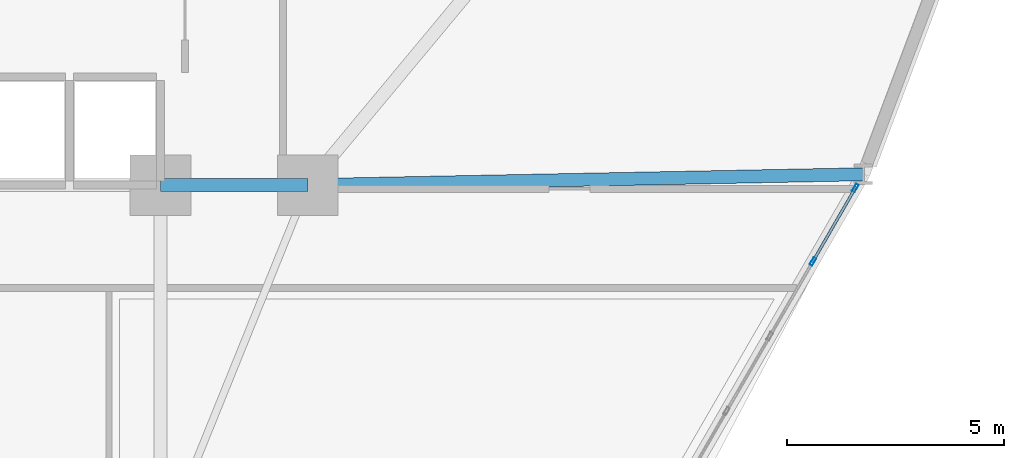
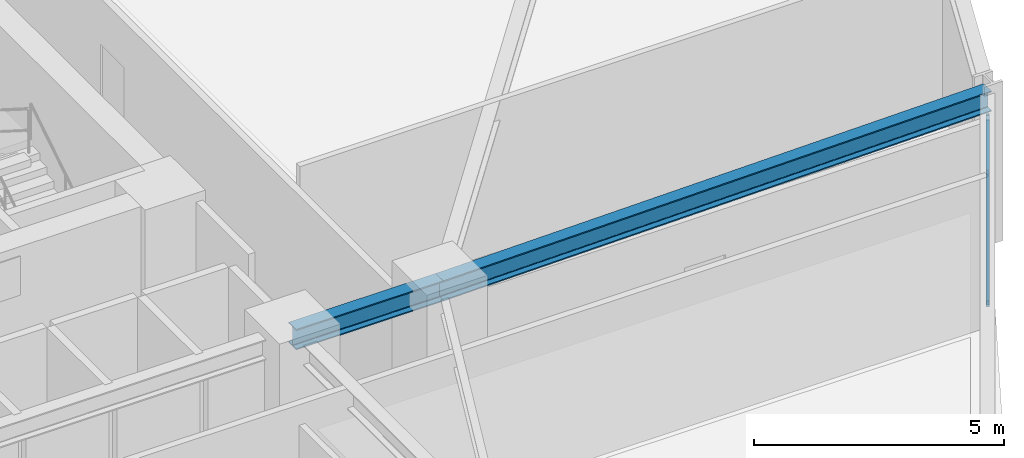
# One storey, part 8 of 20: 5 members, 2 beams, 1 element without a shape of its own.
"""IFC4 building model written with IfcOpenShell, lengths in metres."""

from ifc_helpers import new_model, si_unit, derived_unit, direction, frame, origin, origin_2d, place, context, subcontext, project, spatial, hollow_rectangle, i_section, extrude, source, transform, mapped, material, layer, layer_set, material_profile, profile_set, type_object, element, aggregate, save


model = new_model("IFC4")

# Units and contexts
model_context = context("Model", 3, precision=1e-05, world=origin(), true_north=direction((0.0, 1.0)))
body_context = subcontext(model_context, "Body", "Model", "MODEL_VIEW")
ifc_project = project(units=[si_unit("LENGTHUNIT", "METRE"), si_unit("AREAUNIT", "SQUARE_METRE"), si_unit("VOLUMEUNIT", "CUBIC_METRE"), si_unit("PLANEANGLEUNIT", "RADIAN"), si_unit("MASSUNIT", "GRAM", prefix="KILO"), derived_unit("THERMALTRANSMITTANCEUNIT", [(si_unit("POWERUNIT", "WATT"), 1), (si_unit("LENGTHUNIT", "METRE"), -2), (si_unit("THERMODYNAMICTEMPERATUREUNIT", "KELVIN"), -1)])], contexts=[model_context])

# Site, building, storey
site_placement = place(None, origin())
site = spatial("IfcSite", under=ifc_project, at=site_placement, CompositionType="ELEMENT")
building_placement = place(site_placement, origin())
building = spatial("IfcBuilding", under=site, at=building_placement, Name="Korsvarv Bourse and Concert Hall", CompositionType="ELEMENT")
storey_placement = place(building_placement, frame((0.0, 0.0, 87.300048828125)))
storey = spatial("IfcBuildingStorey", under=building, at=storey_placement, Name="L21", CompositionType="ELEMENT", Elevation=87.300048828125)

# Beams
ifc_material_1 = material(Name="Steel S355", Category="steel")
ifc_material_profile_1 = material_profile(ifc_material_1, i_section(OverallWidth=0.300048828125, OverallDepth=0.5, WebThickness=0.014404296875, FlangeThickness=0.028076171875, FilletRadius=0.02392578125, at=origin_2d()), Name="HEB 500")
ifc_profile_set_1 = profile_set([ifc_material_profile_1], Name="Steel S355")
beam_type = type_object("IfcBeamType", Name="BM-HEB500", PredefinedType="BEAM", material=ifc_profile_set_1)
shared_shape_1 = source(origin(), body_context, "Body", "SweptSolid", [
    extrude(i_section(OverallWidth=0.300048828125, OverallDepth=0.5, WebThickness=0.014404296875, FlangeThickness=0.028076171875, FilletRadius=0.02392578125, at=origin_2d()), origin(), (0.0, 0.0, 1.0), 3.400146484375),
])
beam_1_placement = place(storey_placement, frame((44.39990234375, 32.39990234375, 3.429931640625), z_axis=(1.0, 0.0, 0.0), x_axis=(0.0, 1.0, 0.0)))
element("IfcBeam", 1, at=beam_1_placement, inside=storey, type_object=beam_type, Name="L21 beam B-07", PredefinedType="BEAM", context=body_context, shape_type="MappedRepresentation", body=[
    mapped(shared_shape_1, transform((0.0, 0.0, 0.0), scale=1.0)),
])
shared_shape_2 = source(origin(), body_context, "Body", "SweptSolid", [
    extrude(i_section(OverallWidth=0.300048828125, OverallDepth=0.5, WebThickness=0.014404296875, FlangeThickness=0.028076171875, FilletRadius=0.02392578125, at=origin_2d()), origin(), (0.0, 0.0, 1.0), 12.8212890625),
])
beam_2_placement = place(storey_placement, frame((60.618896484375, 32.65087890625, 3.429931640625), z_axis=(-0.999808392048, -0.019574963376, 0.0), x_axis=(0.019574963376, -0.999808392048, 0.0)))
element("IfcBeam", 2, at=beam_2_placement, inside=storey, type_object=beam_type, Name="L21 beam B-07", PredefinedType="BEAM", context=body_context, shape_type="MappedRepresentation", body=[
    mapped(shared_shape_2, transform((0.0, 0.0, 0.0), scale=1.0)),
])

# Curtain wall, members
ifc_material_2 = material(Name="Anodised aluminium and triple low-E glazing", Category="glass")
ifc_layer = layer(ifc_material_2, 0.219970703125)
ifc_layer_set = layer_set([ifc_layer], Name="Anodised aluminium and triple low-E glazing")
curtain_wall_type = type_object("IfcCurtainWallType", Name="CW-SYS-1", PredefinedType="NOTDEFINED", material=ifc_layer_set)
curtain_wall_placement = place(storey_placement, origin())
curtain_wall = element("IfcCurtainWall", 3, at=curtain_wall_placement, inside=storey, type_object=curtain_wall_type, Name="L21 CW1 curtain wall CW-L21-F11", PredefinedType="NOTDEFINED")
ifc_material_3 = material(Name="Extruded aluminium EN AW-6063 T66", Category="aluminium")
ifc_material_profile_2 = material_profile(ifc_material_3, hollow_rectangle(XDim=0.070068359375, YDim=0.18994140625, WallThickness=0.0048828125, at=origin_2d()), Name="ALU-M 70x190")
ifc_profile_set_2 = profile_set([ifc_material_profile_2], Name="Extruded aluminium EN AW-6063 T66")
member_type_1 = type_object("IfcMemberType", Name="CWM-190", PredefinedType="MULLION", material=ifc_profile_set_2)
shared_shape_3 = source(origin(), body_context, "Body", "SweptSolid", [
    extrude(hollow_rectangle(XDim=0.070068359375, YDim=0.18994140625, WallThickness=0.0048828125, at=origin_2d()), origin(), (0.0, 0.0, 1.0), 3.22998046875),
])
member_1_placement = place(storey_placement, frame((59.456298828125, 30.637451171875, 0.0), z_axis=(0.0, 0.0, 1.0), x_axis=(-0.8660261613, 0.499998687942, 0.0)))
member_1 = element("IfcMember", 4, at=member_1_placement, type_object=member_type_1, Name="CW1 mullion 7", PredefinedType="MULLION", context=body_context, shape_type="MappedRepresentation", body=[
    mapped(shared_shape_3, transform((0.0, 0.0, 0.0), scale=1.0)),
])
member_2_placement = place(storey_placement, frame((60.435791015625, 32.33349609375, 0.0), z_axis=(0.0, 0.0, 1.0), x_axis=(-0.8660261613, 0.499998687942, 0.0)))
member_2 = element("IfcMember", 5, at=member_2_placement, type_object=member_type_1, Name="CW1 mullion 8", PredefinedType="MULLION", context=body_context, shape_type="MappedRepresentation", body=[
    mapped(shared_shape_3, transform((0.0, 0.0, 0.0), scale=1.0)),
])
ifc_material_profile_3 = material_profile(ifc_material_3, hollow_rectangle(XDim=0.06494140625, YDim=0.139892578125, WallThickness=0.00390625, at=origin_2d()), Name="ALU-T 65x140")
ifc_profile_set_3 = profile_set([ifc_material_profile_3], Name="Extruded aluminium EN AW-6063 T66")
member_type_2 = type_object("IfcMemberType", Name="CWT-140", PredefinedType="USERDEFINED", material=ifc_profile_set_3)
shared_shape_4 = source(origin(), body_context, "Body", "SweptSolid", [
    extrude(hollow_rectangle(XDim=0.06494140625, YDim=0.139892578125, WallThickness=0.00390625, at=origin_2d()), origin(), (0.0, 0.0, 1.0), 1.888671875),
])
member_3_placement = place(storey_placement, frame((59.473876953125, 30.667724609375, 0.032470703125), z_axis=(0.500032047992, 0.866006900077, 0.0), x_axis=(-0.866006900077, 0.500032047992, 0.0)))
member_3 = element("IfcMember", 6, at=member_3_placement, type_object=member_type_2, Name="CW1 transom 7.1", ObjectType="TRANSOM", PredefinedType="USERDEFINED", context=body_context, shape_type="MappedRepresentation", body=[
    mapped(shared_shape_4, transform((0.0, 0.0, 0.0), scale=1.0)),
])
member_4_placement = place(storey_placement, frame((59.473876953125, 30.667724609375, 3.197509765625), z_axis=(0.500032047992, 0.866006900077, 0.0), x_axis=(-0.866006900077, 0.500032047992, 0.0)))
member_4 = element("IfcMember", 7, at=member_4_placement, type_object=member_type_2, Name="CW1 transom 7.2", ObjectType="TRANSOM", PredefinedType="USERDEFINED", context=body_context, shape_type="MappedRepresentation", body=[
    mapped(shared_shape_4, transform((0.0, 0.0, 0.0), scale=1.0)),
])
ifc_material_profile_4 = material_profile(ifc_material_3, hollow_rectangle(XDim=0.06494140625, YDim=0.1650390625, WallThickness=0.0048828125, at=origin_2d()), Name="ALU-M 65x165")
ifc_profile_set_4 = profile_set([ifc_material_profile_4], Name="Extruded aluminium EN AW-6063 T66")
member_type_3 = type_object("IfcMemberType", Name="CWM-165", PredefinedType="MULLION", material=ifc_profile_set_4)
shared_shape_5 = source(origin(), body_context, "Body", "SweptSolid", [
    extrude(hollow_rectangle(XDim=0.06494140625, YDim=0.1650390625, WallThickness=0.0048828125, at=origin_2d()), origin(), (0.0, 0.0, 1.0), 3.630126953125),
])
member_5_placement = place(storey_placement, frame((59.473876953125, 30.667724609375, 0.06494140625), z_axis=(0.260144386636, 0.450544789575, 0.854010708767), x_axis=(-0.866006900077, 0.500032047992, 0.0)))
member_5 = element("IfcMember", 8, at=member_5_placement, type_object=member_type_3, Name="CW1 diagonal mullion 7", PredefinedType="MULLION", context=body_context, shape_type="MappedRepresentation", body=[
    mapped(shared_shape_5, transform((0.0, 0.0, 0.0), scale=1.0)),
])
aggregate(curtain_wall, [member_1, member_2, member_3, member_4, member_5])

save(model, "model.ifc")
